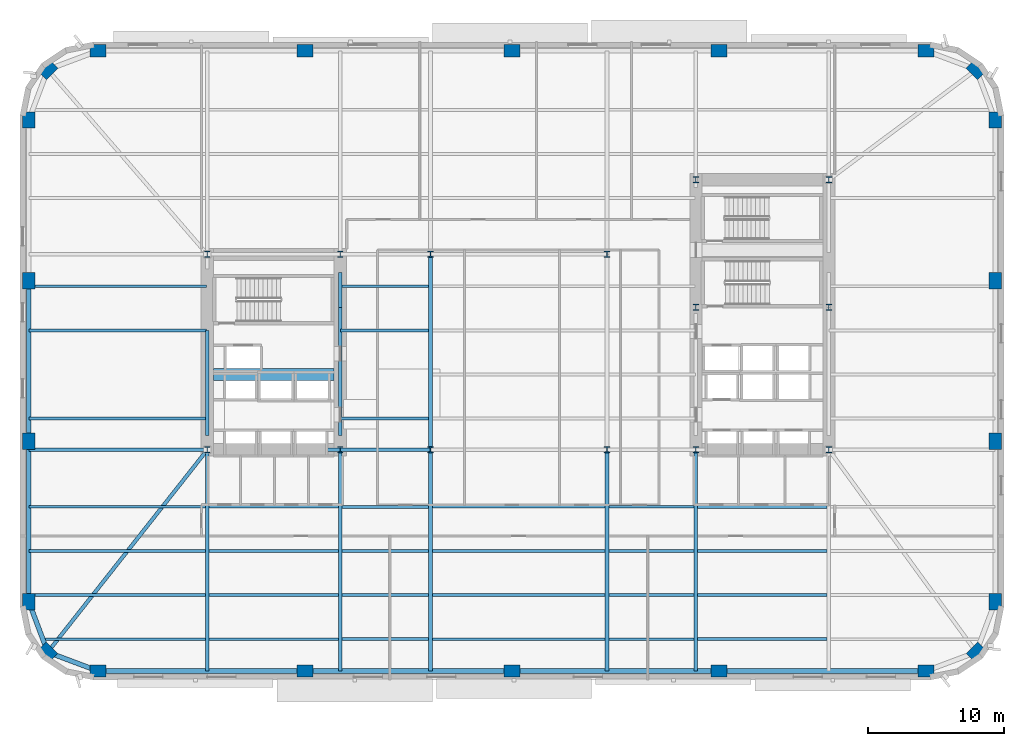
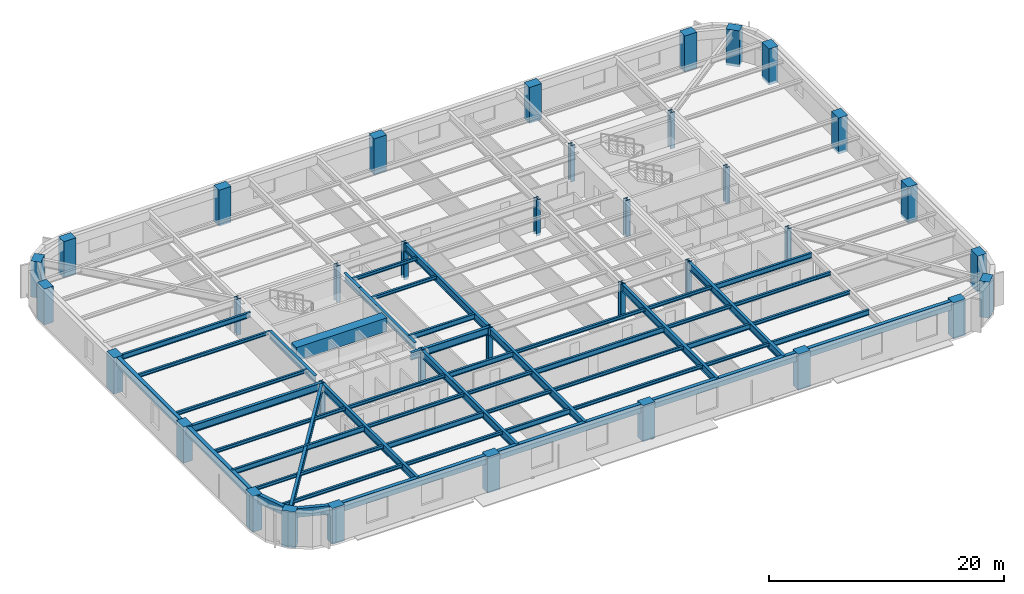
# One storey, part 1 of 15: 51 beams, 36 columns.
"""IFC4 building model written with IfcOpenShell, lengths in metres."""

from ifc_helpers import new_model, si_unit, direction, frame, origin, origin_2d, place, context, subcontext, project, spatial, rectangle, hollow_rectangle, i_section, extrude, material, material_profile, profile_set, type_object, element, save


model = new_model("IFC4")

# Units and contexts
model_context = context("Model", 3, precision=1e-05, world=origin(), true_north=direction((0.0, 1.0)))
body_context = subcontext(model_context, "Body", "Model", "MODEL_VIEW")
ifc_project = project(units=[si_unit("LENGTHUNIT", "METRE"), si_unit("AREAUNIT", "SQUARE_METRE"), si_unit("VOLUMEUNIT", "CUBIC_METRE"), si_unit("PLANEANGLEUNIT", "RADIAN"), si_unit("MASSUNIT", "GRAM", prefix="KILO")], contexts=[model_context])

# Site, building, storey
site_placement = place(None, origin())
site = spatial("IfcSite", under=ifc_project, at=site_placement, CompositionType="ELEMENT")
building_placement = place(site_placement, origin())
building = spatial("IfcBuilding", under=site, at=building_placement, Name="Kolvaren Arena Tower", CompositionType="ELEMENT")
storey_placement = place(building_placement, frame((0.0, 0.0, 60.75)))
storey = spatial("IfcBuildingStorey", under=building, at=storey_placement, Name="L12", CompositionType="ELEMENT", Elevation=60.75)

# Columns
ifc_material_1 = material(Name="Precast concrete C70/85", Category="concrete")
ifc_material_profile_1 = material_profile(ifc_material_1, rectangle(XDim=1.199951171875, YDim=0.89990234375, at=origin_2d()), Name="RC-1200x900")
ifc_profile_set_1 = profile_set([ifc_material_profile_1], Name="Precast concrete C70/85")
column_type_1 = type_object("IfcColumnType", Name="EXCOL-Z1", PredefinedType="COLUMN", material=ifc_profile_set_1)
for number, where, z_axis, x_axis, name in (
    (1, (6.5, 3.14990234375, -0.27001953125), (0.0, 0.0, 1.0), (1.0, 0.0, 0.0), "Exoskeleton Perimeter Column 01 (L12)"),
    (2, (21.75, 3.14990234375, -0.27001953125), (0.0, 0.0, 1.0), (1.0, 0.0, 0.0), "Exoskeleton Perimeter Column 02 (L12)"),
    (3, (37.0, 3.14990234375, -0.27001953125), (0.0, 0.0, 1.0), (1.0, 0.0, 0.0), "Exoskeleton Perimeter Column 03 (L12)"),
    (4, (52.25, 3.14990234375, -0.27001953125), (0.0, 0.0, 1.0), (1.0, 0.0, 0.0), "Exoskeleton Perimeter Column 04 (L12)"),
    (5, (67.5, 3.14990234375, -0.27001953125), (0.0, 0.0, 1.0), (1.0, 0.0, 0.0), "Exoskeleton Perimeter Column 05 (L12)"),
    (6, (71.208740234375, 4.541259765625, -0.27001953125), (0.0, 0.0, 1.0), (0.707106781187, 0.707106781187, 0.0), "Exoskeleton Perimeter Column 06 (L12)"),
    (7, (72.60009765625, 8.25, -0.27001953125), (0.0, 0.0, 1.0), (0.0, 1.0, 0.0), "Exoskeleton Perimeter Column 07 (L12)"),
    (8, (72.60009765625, 20.083251953125, -0.27001953125), (0.0, 0.0, 1.0), (0.0, 1.0, 0.0), "Exoskeleton Perimeter Column 08 (L12)"),
    (9, (72.60009765625, 31.916748046875, -0.27001953125), (0.0, 0.0, 1.0), (0.0, 1.0, 0.0), "Exoskeleton Perimeter Column 09 (L12)"),
    (10, (72.60009765625, 43.75, -0.27001953125), (0.0, 0.0, 1.0), (0.0, 1.0, 0.0), "Exoskeleton Perimeter Column 10 (L12)"),
    (11, (71.208740234375, 47.458740234375, -0.27001953125), (0.0, 0.0, 1.0), (-0.707106781187, 0.707106781187, 0.0), "Exoskeleton Perimeter Column 11 (L12)"),
    (12, (67.5, 48.85009765625, -0.27001953125), (0.0, 0.0, 1.0), (1.0, 0.0, 0.0), "Exoskeleton Perimeter Column 12 (L12)"),
    (13, (52.25, 48.85009765625, -0.27001953125), (0.0, 0.0, 1.0), (1.0, 0.0, 0.0), "Exoskeleton Perimeter Column 13 (L12)"),
    (14, (37.0, 48.85009765625, -0.27001953125), (0.0, 0.0, 1.0), (1.0, 0.0, 0.0), "Exoskeleton Perimeter Column 14 (L12)"),
    (15, (21.75, 48.85009765625, -0.27001953125), (0.0, 0.0, 1.0), (1.0, 0.0, 0.0), "Exoskeleton Perimeter Column 15 (L12)"),
    (16, (6.5, 48.85009765625, -0.27001953125), (0.0, 0.0, 1.0), (1.0, 0.0, 0.0), "Exoskeleton Perimeter Column 16 (L12)"),
    (17, (2.791259765625, 47.458740234375, -0.27001953125), (0.0, 0.0, 1.0), (0.707106781187, 0.707106781187, 0.0), "Exoskeleton Perimeter Column 17 (L12)"),
    (18, (1.39990234375, 43.75, -0.27001953125), (0.0, 0.0, 1.0), (0.0, 1.0, 0.0), "Exoskeleton Perimeter Column 18 (L12)"),
    (19, (1.39990234375, 31.916748046875, -0.27001953125), (0.0, 0.0, 1.0), (0.0, 1.0, 0.0), "Exoskeleton Perimeter Column 19 (L12)"),
    (20, (1.39990234375, 20.083251953125, -0.27001953125), (0.0, 0.0, 1.0), (0.0, 1.0, 0.0), "Exoskeleton Perimeter Column 20 (L12)"),
    (21, (1.39990234375, 8.25, -0.27001953125), (0.0, 0.0, 1.0), (0.0, 1.0, 0.0), "Exoskeleton Perimeter Column 21 (L12)"),
    (22, (2.791259765625, 4.541259765625, -0.27001953125), (0.0, 0.0, 1.0), (-0.707106781187, 0.707106781187, 0.0), "Exoskeleton Perimeter Column 22 (L12)"),
):
    element("IfcColumn", number, at=place(storey_placement, frame(where, z_axis=z_axis, x_axis=x_axis)), inside=storey, type_object=column_type_1, Name=name, PredefinedType="COLUMN", context=body_context, shape_type="SweptSolid", body=[
        extrude(rectangle(XDim=1.199951171875, YDim=0.89990234375, at=origin_2d()), origin(), (0.0, 0.0, 1.0), 3.75),
    ])
ifc_material_2 = material(Name="Steel ASTM A913 Grade 65", Category="steel")
ifc_material_profile_2 = material_profile(ifc_material_2, i_section(OverallWidth=0.424072265625, OverallDepth=0.47412109375, WebThickness=0.047607421875, FlangeThickness=0.076904296875, FilletRadius=0.02001953125, at=origin_2d()), Name="W360x634")
ifc_profile_set_2 = profile_set([ifc_material_profile_2], Name="Steel ASTM A913 Grade 65")
column_type_2 = type_object("IfcColumnType", Name="SCOL-Z1", PredefinedType="COLUMN", material=ifc_profile_set_2)
for number, where, z_axis, x_axis, name in (
    (23, (14.550048828125, 19.449951171875, -0.27001953125), (0.0, 0.0, 1.0), (1.0, 0.0, 0.0), "Core Boundary Column WC-SW (L12)"),
    (24, (24.35009765625, 19.449951171875, -0.27001953125), (0.0, 0.0, 1.0), (1.0, 0.0, 0.0), "Core Boundary Column WC-SE (L12)"),
    (25, (14.550048828125, 33.85009765625, -0.27001953125), (0.0, 0.0, 1.0), (1.0, 0.0, 0.0), "Core Boundary Column WC-NW (L12)"),
    (26, (24.35009765625, 33.85009765625, -0.27001953125), (0.0, 0.0, 1.0), (1.0, 0.0, 0.0), "Core Boundary Column WC-NE (L12)"),
    (27, (50.550048828125, 19.449951171875, -0.27001953125), (0.0, 0.0, 1.0), (1.0, 0.0, 0.0), "Core Boundary Column EC-SW (L12)"),
    (28, (60.35009765625, 19.449951171875, -0.27001953125), (0.0, 0.0, 1.0), (1.0, 0.0, 0.0), "Core Boundary Column EC-SE (L12)"),
    (29, (50.550048828125, 29.949951171875, -0.27001953125), (0.0, 0.0, 1.0), (1.0, 0.0, 0.0), "Core Boundary Column EC-MW (L12)"),
    (30, (60.35009765625, 29.949951171875, -0.27001953125), (0.0, 0.0, 1.0), (1.0, 0.0, 0.0), "Core Boundary Column EC-ME (L12)"),
    (31, (50.550048828125, 39.35009765625, -0.27001953125), (0.0, 0.0, 1.0), (1.0, 0.0, 0.0), "Core Boundary Column EC-NW (L12)"),
    (32, (60.35009765625, 39.35009765625, -0.27001953125), (0.0, 0.0, 1.0), (1.0, 0.0, 0.0), "Core Boundary Column EC-NE (L12)"),
    (33, (31.0, 19.449951171875, -0.27001953125), (0.0, 0.0, 1.0), (1.0, 0.0, 0.0), "Interior Gravity Column TC-SW (L12)"),
    (34, (44.0, 19.449951171875, -0.27001953125), (0.0, 0.0, 1.0), (1.0, 0.0, 0.0), "Interior Gravity Column TC-SE (L12)"),
    (35, (31.0, 33.85009765625, -0.27001953125), (0.0, 0.0, 1.0), (1.0, 0.0, 0.0), "Interior Gravity Column TC-NW (L12)"),
    (36, (44.0, 33.85009765625, -0.27001953125), (0.0, 0.0, 1.0), (1.0, 0.0, 0.0), "Interior Gravity Column TC-NE (L12)"),
):
    element("IfcColumn", number, at=place(storey_placement, frame(where, z_axis=z_axis, x_axis=x_axis)), inside=storey, type_object=column_type_2, Name=name, PredefinedType="COLUMN", context=body_context, shape_type="SweptSolid", body=[
        extrude(i_section(OverallWidth=0.424072265625, OverallDepth=0.47412109375, WebThickness=0.047607421875, FlangeThickness=0.076904296875, FilletRadius=0.02001953125, at=origin_2d()), origin(), (0.0, 0.0, 1.0), 3.75),
    ])

# Beams
ifc_material_3 = material(Name="Steel CSA G40.21 350W", Category="steel")
ifc_material_profile_3 = material_profile(ifc_material_3, i_section(OverallWidth=0.2119140625, OverallDepth=0.54296875, WebThickness=0.01318359375, FlangeThickness=0.0244140625, FilletRadius=0.013916015625, at=origin_2d()), Name="W530x150")
ifc_profile_set_3 = profile_set([ifc_material_profile_3], Name="Steel CSA G40.21 350W")
beam_type_1 = type_object("IfcBeamType", Name="BEAM-F1", PredefinedType="BEAM", material=ifc_profile_set_3)
beam_1_placement = place(storey_placement, frame((24.485107421875, 5.5, 3.20849609375), z_axis=(1.0, 0.0, 0.0), x_axis=(0.0, 1.0, 0.0)))
element("IfcBeam", 37, at=beam_1_placement, inside=storey, type_object=beam_type_1, Name="Composite Floor Beam (L12)", PredefinedType="BEAM", context=body_context, shape_type="SweptSolid", body=[
    extrude(i_section(OverallWidth=0.2119140625, OverallDepth=0.54296875, WebThickness=0.01318359375, FlangeThickness=0.0244140625, FilletRadius=0.013916015625, at=origin_2d()), origin(), (0.0, 0.0, 1.0), 6.3798828125),
])
for number, where, z_axis, x_axis, name in (
    (38, (50.68505859375, 5.5, 3.20849609375), (1.0, 0.0, 0.0), (0.0, 1.0, 0.0), "Composite Floor Beam (L12)"),
    (39, (14.68505859375, 8.75, 3.20849609375), (1.0, 0.0, 0.0), (0.0, 1.0, 0.0), "Composite Floor Beam (L12)"),
):
    element("IfcBeam", number, at=place(storey_placement, frame(where, z_axis=z_axis, x_axis=x_axis)), inside=storey, type_object=beam_type_1, Name=name, PredefinedType="BEAM", context=body_context, shape_type="SweptSolid", body=[
        extrude(i_section(OverallWidth=0.2119140625, OverallDepth=0.54296875, WebThickness=0.01318359375, FlangeThickness=0.0244140625, FilletRadius=0.013916015625, at=origin_2d()), origin(), (0.0, 0.0, 1.0), 9.530029296875),
    ])
beam_2_placement = place(storey_placement, frame((44.135009765625, 8.75, 3.20849609375), z_axis=(1.0, 0.0, 0.0), x_axis=(0.0, 1.0, 0.0)))
element("IfcBeam", 40, at=beam_2_placement, inside=storey, type_object=beam_type_1, Name="Composite Floor Beam (L12)", PredefinedType="BEAM", context=body_context, shape_type="SweptSolid", body=[
    extrude(i_section(OverallWidth=0.2119140625, OverallDepth=0.54296875, WebThickness=0.01318359375, FlangeThickness=0.0244140625, FilletRadius=0.013916015625, at=origin_2d()), origin(), (0.0, 0.0, 1.0), 6.280029296875),
])
beam_3_placement = place(storey_placement, frame((1.39990234375, 12.0, 3.20849609375), z_axis=(1.0, 0.0, 0.0), x_axis=(0.0, 1.0, 0.0)))
element("IfcBeam", 41, at=beam_3_placement, inside=storey, type_object=beam_type_1, Name="Composite Floor Beam (L12)", PredefinedType="BEAM", context=body_context, shape_type="SweptSolid", body=[
    extrude(i_section(OverallWidth=0.2119140625, OverallDepth=0.54296875, WebThickness=0.01318359375, FlangeThickness=0.0244140625, FilletRadius=0.013916015625, at=origin_2d()), origin(), (0.0, 0.0, 1.0), 13.01513671875),
])
beam_4_placement = place(storey_placement, frame((31.135009765625, 12.0, 3.20849609375), z_axis=(1.0, 0.0, 0.0), x_axis=(0.0, 1.0, 0.0)))
element("IfcBeam", 42, at=beam_4_placement, inside=storey, type_object=beam_type_1, Name="Composite Floor Beam (L12)", PredefinedType="BEAM", context=body_context, shape_type="SweptSolid", body=[
    extrude(i_section(OverallWidth=0.2119140625, OverallDepth=0.54296875, WebThickness=0.01318359375, FlangeThickness=0.0244140625, FilletRadius=0.013916015625, at=origin_2d()), origin(), (0.0, 0.0, 1.0), 12.72998046875),
])
beam_5_placement = place(storey_placement, frame((24.485107421875, 15.25, 3.20849609375), z_axis=(1.0, 0.0, 0.0), x_axis=(0.0, 1.0, 0.0)))
element("IfcBeam", 43, at=beam_5_placement, inside=storey, type_object=beam_type_1, Name="Composite Floor Beam (L12)", PredefinedType="BEAM", context=body_context, shape_type="SweptSolid", body=[
    extrude(i_section(OverallWidth=0.2119140625, OverallDepth=0.54296875, WebThickness=0.01318359375, FlangeThickness=0.0244140625, FilletRadius=0.013916015625, at=origin_2d()), origin(), (0.0, 0.0, 1.0), 6.3798828125),
])
beam_6_placement = place(storey_placement, frame((50.68505859375, 15.25, 3.20849609375), z_axis=(1.0, 0.0, 0.0), x_axis=(0.0, 1.0, 0.0)))
element("IfcBeam", 44, at=beam_6_placement, inside=storey, type_object=beam_type_1, Name="Composite Floor Beam (L12)", PredefinedType="BEAM", context=body_context, shape_type="SweptSolid", body=[
    extrude(i_section(OverallWidth=0.2119140625, OverallDepth=0.54296875, WebThickness=0.01318359375, FlangeThickness=0.0244140625, FilletRadius=0.013916015625, at=origin_2d()), origin(), (0.0, 0.0, 1.0), 9.530029296875),
])
beam_7_placement = place(storey_placement, frame((24.3701171875, 21.75, 3.20849609375), z_axis=(1.0, 0.0, 0.0), x_axis=(0.0, 1.0, 0.0)))
element("IfcBeam", 45, at=beam_7_placement, inside=storey, type_object=beam_type_1, Name="Composite Floor Beam (L12)", PredefinedType="BEAM", context=body_context, shape_type="SweptSolid", body=[
    extrude(i_section(OverallWidth=0.2119140625, OverallDepth=0.54296875, WebThickness=0.01318359375, FlangeThickness=0.0244140625, FilletRadius=0.013916015625, at=origin_2d()), origin(), (0.0, 0.0, 1.0), 6.494873046875),
])
beam_8_placement = place(storey_placement, frame((1.39990234375, 31.5, 3.20849609375), z_axis=(1.0, 0.0, 0.0), x_axis=(0.0, 1.0, 0.0)))
element("IfcBeam", 46, at=beam_8_placement, inside=storey, type_object=beam_type_1, Name="Composite Floor Beam (L12)", PredefinedType="BEAM", context=body_context, shape_type="SweptSolid", body=[
    extrude(i_section(OverallWidth=0.2119140625, OverallDepth=0.54296875, WebThickness=0.01318359375, FlangeThickness=0.0244140625, FilletRadius=0.013916015625, at=origin_2d()), origin(), (0.0, 0.0, 1.0), 13.080078125),
])
ifc_material_4 = material(Name="Concrete 75 MPa", Category="concrete")
ifc_material_profile_4 = material_profile(ifc_material_4, rectangle(XDim=0.89990234375, YDim=1.39990234375, at=origin_2d()), Name="RC-900x1400")
ifc_profile_set_4 = profile_set([ifc_material_profile_4], Name="Concrete 75 MPa")
beam_type_2 = type_object("IfcBeamType", Name="CB-CORE-1", PredefinedType="BEAM", material=ifc_profile_set_4)
beam_9_placement = place(storey_placement, frame((15.0, 25.0, 3.050048828125), z_axis=(1.0, 0.0, 0.0), x_axis=(0.0, 1.0, 0.0)))
element("IfcBeam", 47, at=beam_9_placement, inside=storey, type_object=beam_type_2, Name="West Core Coupling Beam (L12)", PredefinedType="BEAM", context=body_context, shape_type="SweptSolid", body=[
    extrude(rectangle(XDim=0.89990234375, YDim=1.39990234375, at=origin_2d()), origin(), (0.0, 0.0, 1.0), 8.89990234375),
])
ifc_material_profile_5 = material_profile(ifc_material_3, i_section(OverallWidth=0.27001953125, OverallDepth=0.77294921875, WebThickness=0.019287109375, FlangeThickness=0.033447265625, FilletRadius=0.01806640625, at=origin_2d()), Name="W760x257")
ifc_profile_set_5 = profile_set([ifc_material_profile_5], Name="Steel CSA G40.21 350W")
beam_type_3 = type_object("IfcBeamType", Name="GIRD-T1", PredefinedType="BEAM", material=ifc_profile_set_5)
beam_10_placement = place(storey_placement, frame((2.791259765625, 4.541259765625, 3.093505859375), z_axis=(0.61927986086, 0.785170334343, 0.0), x_axis=(-0.785170334343, 0.61927986086, 0.0)))
element("IfcBeam", 48, at=beam_10_placement, inside=storey, type_object=beam_type_3, Name="Corner Diagonal Tie Girder (L12)", PredefinedType="BEAM", context=body_context, shape_type="SweptSolid", body=[
    extrude(i_section(OverallWidth=0.27001953125, OverallDepth=0.77294921875, WebThickness=0.019287109375, FlangeThickness=0.033447265625, FilletRadius=0.01806640625, at=origin_2d()), origin(), (0.0, 0.0, 1.0), 18.98779296875),
])
beam_11_placement = place(storey_placement, frame((1.39990234375, 19.449951171875, 3.093505859375), z_axis=(1.0, 0.0, 0.0), x_axis=(0.0, 1.0, 0.0)))
element("IfcBeam", 49, at=beam_11_placement, inside=storey, type_object=beam_type_3, Name="Primary Floor Girder (L12)", PredefinedType="BEAM", context=body_context, shape_type="SweptSolid", body=[
    extrude(i_section(OverallWidth=0.27001953125, OverallDepth=0.77294921875, WebThickness=0.019287109375, FlangeThickness=0.033447265625, FilletRadius=0.01806640625, at=origin_2d()), origin(), (0.0, 0.0, 1.0), 13.150146484375),
])
beam_12_placement = place(storey_placement, frame((23.2451171875, 19.449951171875, 3.093505859375), z_axis=(1.0, 0.0, 0.0), x_axis=(0.0, 1.0, 0.0)))
element("IfcBeam", 50, at=beam_12_placement, inside=storey, type_object=beam_type_3, Name="Primary Floor Girder (L12)", PredefinedType="BEAM", context=body_context, shape_type="SweptSolid", body=[
    extrude(i_section(OverallWidth=0.27001953125, OverallDepth=0.77294921875, WebThickness=0.019287109375, FlangeThickness=0.033447265625, FilletRadius=0.01806640625, at=origin_2d()), origin(), (0.0, 0.0, 1.0), 7.7548828125),
])
beam_13_placement = place(storey_placement, frame((14.550048828125, 3.14990234375, 3.093505859375), z_axis=(0.0, 1.0, 0.0), x_axis=(-1.0, 0.0, 0.0)))
element("IfcBeam", 51, at=beam_13_placement, inside=storey, type_object=beam_type_3, Name="Primary Floor Girder (L12)", PredefinedType="BEAM", context=body_context, shape_type="SweptSolid", body=[
    extrude(i_section(OverallWidth=0.27001953125, OverallDepth=0.77294921875, WebThickness=0.019287109375, FlangeThickness=0.033447265625, FilletRadius=0.01806640625, at=origin_2d()), origin(), (0.0, 0.0, 1.0), 16.300048828125),
])
beam_14_placement = place(storey_placement, frame((14.550048828125, 20.5, 3.093505859375), z_axis=(0.0, 1.0, 0.0), x_axis=(-1.0, 0.0, 0.0)))
element("IfcBeam", 52, at=beam_14_placement, inside=storey, type_object=beam_type_3, Name="Primary Floor Girder (L12)", PredefinedType="BEAM", context=body_context, shape_type="SweptSolid", body=[
    extrude(i_section(OverallWidth=0.27001953125, OverallDepth=0.77294921875, WebThickness=0.019287109375, FlangeThickness=0.033447265625, FilletRadius=0.01806640625, at=origin_2d()), origin(), (0.0, 0.0, 1.0), 7.739990234375),
])
beam_15_placement = place(storey_placement, frame((24.35009765625, 3.14990234375, 3.093505859375), z_axis=(0.0, 1.0, 0.0), x_axis=(-1.0, 0.0, 0.0)))
element("IfcBeam", 53, at=beam_15_placement, inside=storey, type_object=beam_type_3, Name="Primary Floor Girder (L12)", PredefinedType="BEAM", context=body_context, shape_type="SweptSolid", body=[
    extrude(i_section(OverallWidth=0.27001953125, OverallDepth=0.77294921875, WebThickness=0.019287109375, FlangeThickness=0.033447265625, FilletRadius=0.01806640625, at=origin_2d()), origin(), (0.0, 0.0, 1.0), 16.300048828125),
])
beam_16_placement = place(storey_placement, frame((24.35009765625, 20.5, 3.093505859375), z_axis=(0.0, 1.0, 0.0), x_axis=(-1.0, 0.0, 0.0)))
element("IfcBeam", 54, at=beam_16_placement, inside=storey, type_object=beam_type_3, Name="Primary Floor Girder (L12)", PredefinedType="BEAM", context=body_context, shape_type="SweptSolid", body=[
    extrude(i_section(OverallWidth=0.27001953125, OverallDepth=0.77294921875, WebThickness=0.019287109375, FlangeThickness=0.033447265625, FilletRadius=0.01806640625, at=origin_2d()), origin(), (0.0, 0.0, 1.0), 9.449951171875),
])
beam_17_placement = place(storey_placement, frame((24.35009765625, 29.949951171875, 3.093505859375), z_axis=(0.0, 1.0, 0.0), x_axis=(-1.0, 0.0, 0.0)))
element("IfcBeam", 55, at=beam_17_placement, inside=storey, type_object=beam_type_3, Name="Primary Floor Girder (L12)", PredefinedType="BEAM", context=body_context, shape_type="SweptSolid", body=[
    extrude(i_section(OverallWidth=0.27001953125, OverallDepth=0.77294921875, WebThickness=0.019287109375, FlangeThickness=0.033447265625, FilletRadius=0.01806640625, at=origin_2d()), origin(), (0.0, 0.0, 1.0), 2.550048828125),
])
beam_18_placement = place(storey_placement, frame((31.0, 3.14990234375, 3.093505859375), z_axis=(0.0, 1.0, 0.0), x_axis=(-1.0, 0.0, 0.0)))
element("IfcBeam", 56, at=beam_18_placement, inside=storey, type_object=beam_type_3, Name="Primary Floor Girder (L12)", PredefinedType="BEAM", context=body_context, shape_type="SweptSolid", body=[
    extrude(i_section(OverallWidth=0.27001953125, OverallDepth=0.77294921875, WebThickness=0.019287109375, FlangeThickness=0.033447265625, FilletRadius=0.01806640625, at=origin_2d()), origin(), (0.0, 0.0, 1.0), 16.300048828125),
])
beam_19_placement = place(storey_placement, frame((31.0, 19.449951171875, 3.093505859375), z_axis=(0.0, 1.0, 0.0), x_axis=(-1.0, 0.0, 0.0)))
element("IfcBeam", 57, at=beam_19_placement, inside=storey, type_object=beam_type_3, Name="Primary Floor Girder (L12)", PredefinedType="BEAM", context=body_context, shape_type="SweptSolid", body=[
    extrude(i_section(OverallWidth=0.27001953125, OverallDepth=0.77294921875, WebThickness=0.019287109375, FlangeThickness=0.033447265625, FilletRadius=0.01806640625, at=origin_2d()), origin(), (0.0, 0.0, 1.0), 14.400146484375),
])
for number, where, z_axis, x_axis, name in (
    (58, (44.0, 3.14990234375, 3.093505859375), (0.0, 1.0, 0.0), (-1.0, 0.0, 0.0), "Primary Floor Girder (L12)"),
    (59, (50.550048828125, 3.14990234375, 3.093505859375), (0.0, 1.0, 0.0), (-1.0, 0.0, 0.0), "Primary Floor Girder (L12)"),
):
    element("IfcBeam", number, at=place(storey_placement, frame(where, z_axis=z_axis, x_axis=x_axis)), inside=storey, type_object=beam_type_3, Name=name, PredefinedType="BEAM", context=body_context, shape_type="SweptSolid", body=[
        extrude(i_section(OverallWidth=0.27001953125, OverallDepth=0.77294921875, WebThickness=0.019287109375, FlangeThickness=0.033447265625, FilletRadius=0.01806640625, at=origin_2d()), origin(), (0.0, 0.0, 1.0), 16.300048828125),
    ])
ifc_material_profile_6 = material_profile(ifc_material_3, i_section(OverallWidth=0.202880859375, OverallDepth=0.346923828125, WebThickness=0.0078125, FlangeThickness=0.013427734375, FilletRadius=0.010986328125, at=origin_2d()), Name="W360x64")
ifc_profile_set_6 = profile_set([ifc_material_profile_6], Name="Steel CSA G40.21 350W")
beam_type_4 = type_object("IfcBeamType", Name="JOIST-01", PredefinedType="JOIST", material=ifc_profile_set_6)
beam_20_placement = place(storey_placement, frame((2.431396484375, 5.5, 3.306396484375), z_axis=(1.0, 0.0, 0.0), x_axis=(0.0, 1.0, 0.0)))
element("IfcBeam", 60, at=beam_20_placement, inside=storey, type_object=beam_type_4, Name="Composite Floor Joist (L12)", PredefinedType="JOIST", context=body_context, shape_type="SweptSolid", body=[
    extrude(i_section(OverallWidth=0.202880859375, OverallDepth=0.346923828125, WebThickness=0.0078125, FlangeThickness=0.013427734375, FilletRadius=0.010986328125, at=origin_2d()), origin(), (0.0, 0.0, 1.0), 11.983642578125),
])
beam_21_placement = place(storey_placement, frame((14.68505859375, 5.5, 3.306396484375), z_axis=(1.0, 0.0, 0.0), x_axis=(0.0, 1.0, 0.0)))
element("IfcBeam", 61, at=beam_21_placement, inside=storey, type_object=beam_type_4, Name="Composite Floor Joist (L12)", PredefinedType="JOIST", context=body_context, shape_type="SweptSolid", body=[
    extrude(i_section(OverallWidth=0.202880859375, OverallDepth=0.346923828125, WebThickness=0.0078125, FlangeThickness=0.013427734375, FilletRadius=0.010986328125, at=origin_2d()), origin(), (0.0, 0.0, 1.0), 9.530029296875),
])
beam_22_placement = place(storey_placement, frame((31.135009765625, 5.5, 3.306396484375), z_axis=(1.0, 0.0, 0.0), x_axis=(0.0, 1.0, 0.0)))
element("IfcBeam", 62, at=beam_22_placement, inside=storey, type_object=beam_type_4, Name="Composite Floor Joist (L12)", PredefinedType="JOIST", context=body_context, shape_type="SweptSolid", body=[
    extrude(i_section(OverallWidth=0.202880859375, OverallDepth=0.346923828125, WebThickness=0.0078125, FlangeThickness=0.013427734375, FilletRadius=0.010986328125, at=origin_2d()), origin(), (0.0, 0.0, 1.0), 12.72998046875),
])
beam_23_placement = place(storey_placement, frame((44.135009765625, 5.5, 3.306396484375), z_axis=(1.0, 0.0, 0.0), x_axis=(0.0, 1.0, 0.0)))
element("IfcBeam", 63, at=beam_23_placement, inside=storey, type_object=beam_type_4, Name="Composite Floor Joist (L12)", PredefinedType="JOIST", context=body_context, shape_type="SweptSolid", body=[
    extrude(i_section(OverallWidth=0.202880859375, OverallDepth=0.346923828125, WebThickness=0.0078125, FlangeThickness=0.013427734375, FilletRadius=0.010986328125, at=origin_2d()), origin(), (0.0, 0.0, 1.0), 6.280029296875),
])
beam_24_placement = place(storey_placement, frame((1.39990234375, 8.75, 3.306396484375), z_axis=(1.0, 0.0, 0.0), x_axis=(0.0, 1.0, 0.0)))
element("IfcBeam", 64, at=beam_24_placement, inside=storey, type_object=beam_type_4, Name="Composite Floor Joist (L12)", PredefinedType="JOIST", context=body_context, shape_type="SweptSolid", body=[
    extrude(i_section(OverallWidth=0.202880859375, OverallDepth=0.346923828125, WebThickness=0.0078125, FlangeThickness=0.013427734375, FilletRadius=0.010986328125, at=origin_2d()), origin(), (0.0, 0.0, 1.0), 13.01513671875),
])
beam_25_placement = place(storey_placement, frame((24.485107421875, 8.75, 3.306396484375), z_axis=(1.0, 0.0, 0.0), x_axis=(0.0, 1.0, 0.0)))
element("IfcBeam", 65, at=beam_25_placement, inside=storey, type_object=beam_type_4, Name="Composite Floor Joist (L12)", PredefinedType="JOIST", context=body_context, shape_type="SweptSolid", body=[
    extrude(i_section(OverallWidth=0.202880859375, OverallDepth=0.346923828125, WebThickness=0.0078125, FlangeThickness=0.013427734375, FilletRadius=0.010986328125, at=origin_2d()), origin(), (0.0, 0.0, 1.0), 6.3798828125),
])
beam_26_placement = place(storey_placement, frame((31.135009765625, 8.75, 3.306396484375), z_axis=(1.0, 0.0, 0.0), x_axis=(0.0, 1.0, 0.0)))
element("IfcBeam", 66, at=beam_26_placement, inside=storey, type_object=beam_type_4, Name="Composite Floor Joist (L12)", PredefinedType="JOIST", context=body_context, shape_type="SweptSolid", body=[
    extrude(i_section(OverallWidth=0.202880859375, OverallDepth=0.346923828125, WebThickness=0.0078125, FlangeThickness=0.013427734375, FilletRadius=0.010986328125, at=origin_2d()), origin(), (0.0, 0.0, 1.0), 12.72998046875),
])
for number, where, z_axis, x_axis, name in (
    (67, (50.68505859375, 8.75, 3.306396484375), (1.0, 0.0, 0.0), (0.0, 1.0, 0.0), "Composite Floor Joist (L12)"),
    (68, (14.68505859375, 12.0, 3.306396484375), (1.0, 0.0, 0.0), (0.0, 1.0, 0.0), "Composite Floor Joist (L12)"),
):
    element("IfcBeam", number, at=place(storey_placement, frame(where, z_axis=z_axis, x_axis=x_axis)), inside=storey, type_object=beam_type_4, Name=name, PredefinedType="JOIST", context=body_context, shape_type="SweptSolid", body=[
        extrude(i_section(OverallWidth=0.202880859375, OverallDepth=0.346923828125, WebThickness=0.0078125, FlangeThickness=0.013427734375, FilletRadius=0.010986328125, at=origin_2d()), origin(), (0.0, 0.0, 1.0), 9.530029296875),
    ])
beam_27_placement = place(storey_placement, frame((24.485107421875, 12.0, 3.306396484375), z_axis=(1.0, 0.0, 0.0), x_axis=(0.0, 1.0, 0.0)))
element("IfcBeam", 69, at=beam_27_placement, inside=storey, type_object=beam_type_4, Name="Composite Floor Joist (L12)", PredefinedType="JOIST", context=body_context, shape_type="SweptSolid", body=[
    extrude(i_section(OverallWidth=0.202880859375, OverallDepth=0.346923828125, WebThickness=0.0078125, FlangeThickness=0.013427734375, FilletRadius=0.010986328125, at=origin_2d()), origin(), (0.0, 0.0, 1.0), 6.3798828125),
])
beam_28_placement = place(storey_placement, frame((44.135009765625, 12.0, 3.306396484375), z_axis=(1.0, 0.0, 0.0), x_axis=(0.0, 1.0, 0.0)))
element("IfcBeam", 70, at=beam_28_placement, inside=storey, type_object=beam_type_4, Name="Composite Floor Joist (L12)", PredefinedType="JOIST", context=body_context, shape_type="SweptSolid", body=[
    extrude(i_section(OverallWidth=0.202880859375, OverallDepth=0.346923828125, WebThickness=0.0078125, FlangeThickness=0.013427734375, FilletRadius=0.010986328125, at=origin_2d()), origin(), (0.0, 0.0, 1.0), 6.280029296875),
])
beam_29_placement = place(storey_placement, frame((50.68505859375, 12.0, 3.306396484375), z_axis=(1.0, 0.0, 0.0), x_axis=(0.0, 1.0, 0.0)))
element("IfcBeam", 71, at=beam_29_placement, inside=storey, type_object=beam_type_4, Name="Composite Floor Joist (L12)", PredefinedType="JOIST", context=body_context, shape_type="SweptSolid", body=[
    extrude(i_section(OverallWidth=0.202880859375, OverallDepth=0.346923828125, WebThickness=0.0078125, FlangeThickness=0.013427734375, FilletRadius=0.010986328125, at=origin_2d()), origin(), (0.0, 0.0, 1.0), 9.530029296875),
])
beam_30_placement = place(storey_placement, frame((1.39990234375, 15.25, 3.306396484375), z_axis=(1.0, 0.0, 0.0), x_axis=(0.0, 1.0, 0.0)))
element("IfcBeam", 72, at=beam_30_placement, inside=storey, type_object=beam_type_4, Name="Composite Floor Joist (L12)", PredefinedType="JOIST", context=body_context, shape_type="SweptSolid", body=[
    extrude(i_section(OverallWidth=0.202880859375, OverallDepth=0.346923828125, WebThickness=0.0078125, FlangeThickness=0.013427734375, FilletRadius=0.010986328125, at=origin_2d()), origin(), (0.0, 0.0, 1.0), 13.01513671875),
])
beam_31_placement = place(storey_placement, frame((14.68505859375, 15.25, 3.306396484375), z_axis=(1.0, 0.0, 0.0), x_axis=(0.0, 1.0, 0.0)))
element("IfcBeam", 73, at=beam_31_placement, inside=storey, type_object=beam_type_4, Name="Composite Floor Joist (L12)", PredefinedType="JOIST", context=body_context, shape_type="SweptSolid", body=[
    extrude(i_section(OverallWidth=0.202880859375, OverallDepth=0.346923828125, WebThickness=0.0078125, FlangeThickness=0.013427734375, FilletRadius=0.010986328125, at=origin_2d()), origin(), (0.0, 0.0, 1.0), 9.530029296875),
])
beam_32_placement = place(storey_placement, frame((31.135009765625, 15.25, 3.306396484375), z_axis=(1.0, 0.0, 0.0), x_axis=(0.0, 1.0, 0.0)))
element("IfcBeam", 74, at=beam_32_placement, inside=storey, type_object=beam_type_4, Name="Composite Floor Joist (L12)", PredefinedType="JOIST", context=body_context, shape_type="SweptSolid", body=[
    extrude(i_section(OverallWidth=0.202880859375, OverallDepth=0.346923828125, WebThickness=0.0078125, FlangeThickness=0.013427734375, FilletRadius=0.010986328125, at=origin_2d()), origin(), (0.0, 0.0, 1.0), 12.72998046875),
])
beam_33_placement = place(storey_placement, frame((44.135009765625, 15.25, 3.306396484375), z_axis=(1.0, 0.0, 0.0), x_axis=(0.0, 1.0, 0.0)))
element("IfcBeam", 75, at=beam_33_placement, inside=storey, type_object=beam_type_4, Name="Composite Floor Joist (L12)", PredefinedType="JOIST", context=body_context, shape_type="SweptSolid", body=[
    extrude(i_section(OverallWidth=0.202880859375, OverallDepth=0.346923828125, WebThickness=0.0078125, FlangeThickness=0.013427734375, FilletRadius=0.010986328125, at=origin_2d()), origin(), (0.0, 0.0, 1.0), 6.280029296875),
])
beam_34_placement = place(storey_placement, frame((1.39990234375, 21.75, 3.306396484375), z_axis=(1.0, 0.0, 0.0), x_axis=(0.0, 1.0, 0.0)))
element("IfcBeam", 76, at=beam_34_placement, inside=storey, type_object=beam_type_4, Name="Composite Floor Joist (L12)", PredefinedType="JOIST", context=body_context, shape_type="SweptSolid", body=[
    extrude(i_section(OverallWidth=0.202880859375, OverallDepth=0.346923828125, WebThickness=0.0078125, FlangeThickness=0.013427734375, FilletRadius=0.010986328125, at=origin_2d()), origin(), (0.0, 0.0, 1.0), 13.130126953125),
])
beam_35_placement = place(storey_placement, frame((1.39990234375, 28.25, 3.306396484375), z_axis=(1.0, 0.0, 0.0), x_axis=(0.0, 1.0, 0.0)))
element("IfcBeam", 77, at=beam_35_placement, inside=storey, type_object=beam_type_4, Name="Composite Floor Joist (L12)", PredefinedType="JOIST", context=body_context, shape_type="SweptSolid", body=[
    extrude(i_section(OverallWidth=0.202880859375, OverallDepth=0.346923828125, WebThickness=0.0078125, FlangeThickness=0.013427734375, FilletRadius=0.010986328125, at=origin_2d()), origin(), (0.0, 0.0, 1.0), 13.080078125),
])
for number, where, z_axis, x_axis, name in (
    (78, (24.3701171875, 28.25, 3.306396484375), (1.0, 0.0, 0.0), (0.0, 1.0, 0.0), "Composite Floor Joist (L12)"),
    (79, (24.3701171875, 31.5, 3.306396484375), (1.0, 0.0, 0.0), (0.0, 1.0, 0.0), "Composite Floor Joist (L12)"),
):
    element("IfcBeam", number, at=place(storey_placement, frame(where, z_axis=z_axis, x_axis=x_axis)), inside=storey, type_object=beam_type_4, Name=name, PredefinedType="JOIST", context=body_context, shape_type="SweptSolid", body=[
        extrude(i_section(OverallWidth=0.202880859375, OverallDepth=0.346923828125, WebThickness=0.0078125, FlangeThickness=0.013427734375, FilletRadius=0.010986328125, at=origin_2d()), origin(), (0.0, 0.0, 1.0), 6.494873046875),
    ])
ifc_material_5 = material(Name="Steel CSA G40.21 350WT", Category="steel")
ifc_material_profile_7 = material_profile(ifc_material_5, hollow_rectangle(XDim=0.35009765625, YDim=0.89990234375, WallThickness=0.02001953125, at=origin_2d()), Name="HSS 900x350x20")
ifc_profile_set_7 = profile_set([ifc_material_profile_7], Name="Steel CSA G40.21 350WT")
beam_type_5 = type_object("IfcBeamType", Name="SPAND-01", PredefinedType="SPANDREL", material=ifc_profile_set_7)
for number, where, z_axis, x_axis, name in (
    (80, (6.5, 3.14990234375, 3.030029296875), (1.0, 0.0, 0.0), (0.0, 1.0, 0.0), "Perimeter Spandrel Beam (L12)"),
    (81, (21.75, 3.14990234375, 3.030029296875), (1.0, 0.0, 0.0), (0.0, 1.0, 0.0), "Perimeter Spandrel Beam (L12)"),
    (82, (37.0, 3.14990234375, 3.030029296875), (1.0, 0.0, 0.0), (0.0, 1.0, 0.0), "Perimeter Spandrel Beam (L12)"),
    (83, (52.25, 3.14990234375, 3.030029296875), (1.0, 0.0, 0.0), (0.0, 1.0, 0.0), "Perimeter Spandrel Beam (L12)"),
):
    element("IfcBeam", number, at=place(storey_placement, frame(where, z_axis=z_axis, x_axis=x_axis)), inside=storey, type_object=beam_type_5, Name=name, PredefinedType="SPANDREL", context=body_context, shape_type="SweptSolid", body=[
        extrude(hollow_rectangle(XDim=0.35009765625, YDim=0.89990234375, WallThickness=0.02001953125, at=origin_2d()), origin(), (0.0, 0.0, 1.0), 15.25),
    ])
beam_36_placement = place(storey_placement, frame((1.39990234375, 31.916748046875, 3.030029296875), z_axis=(0.0, -1.0, 0.0), x_axis=(1.0, 0.0, 0.0)))
element("IfcBeam", 84, at=beam_36_placement, inside=storey, type_object=beam_type_5, Name="Perimeter Spandrel Beam (L12)", PredefinedType="SPANDREL", context=body_context, shape_type="SweptSolid", body=[
    extrude(hollow_rectangle(XDim=0.35009765625, YDim=0.89990234375, WallThickness=0.02001953125, at=origin_2d()), origin(), (0.0, 0.0, 1.0), 11.83349609375),
])
beam_37_placement = place(storey_placement, frame((1.39990234375, 20.083251953125, 3.030029296875), z_axis=(0.0, -1.0, 0.0), x_axis=(1.0, 0.0, 0.0)))
element("IfcBeam", 85, at=beam_37_placement, inside=storey, type_object=beam_type_5, Name="Perimeter Spandrel Beam (L12)", PredefinedType="SPANDREL", context=body_context, shape_type="SweptSolid", body=[
    extrude(hollow_rectangle(XDim=0.35009765625, YDim=0.89990234375, WallThickness=0.02001953125, at=origin_2d()), origin(), (0.0, 0.0, 1.0), 11.833251953125),
])
for number, where, z_axis, x_axis, name in (
    (86, (1.39990234375, 8.25, 3.030029296875), (0.351251771955, -0.93628104365, 0.0), (0.93628104365, 0.351251771955, 0.0), "Perimeter Spandrel Beam (L12)"),
    (87, (2.791259765625, 4.541259765625, 3.030029296875), (0.93628104365, -0.351251771955, 0.0), (0.351251771955, 0.93628104365, 0.0), "Perimeter Spandrel Beam (L12)"),
):
    element("IfcBeam", number, at=place(storey_placement, frame(where, z_axis=z_axis, x_axis=x_axis)), inside=storey, type_object=beam_type_5, Name=name, PredefinedType="SPANDREL", context=body_context, shape_type="SweptSolid", body=[
        extrude(hollow_rectangle(XDim=0.35009765625, YDim=0.89990234375, WallThickness=0.02001953125, at=origin_2d()), origin(), (0.0, 0.0, 1.0), 3.961181640625),
    ])

save(model, "model.ifc")
